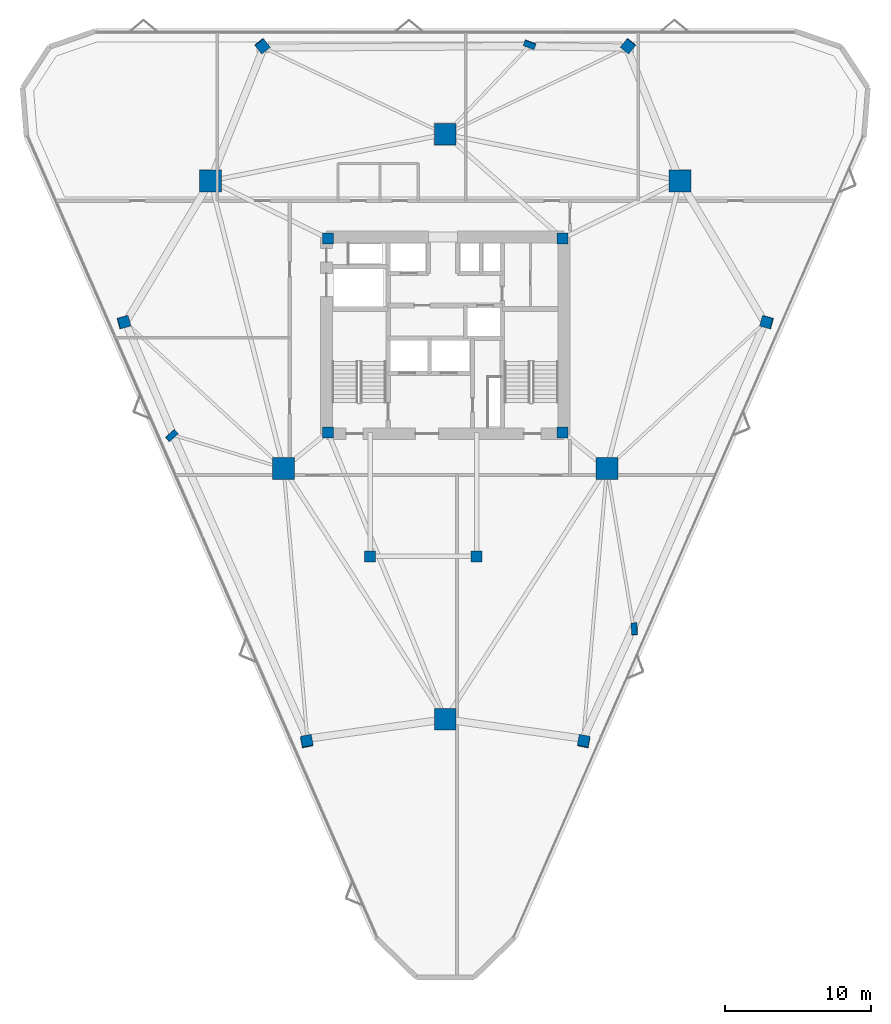
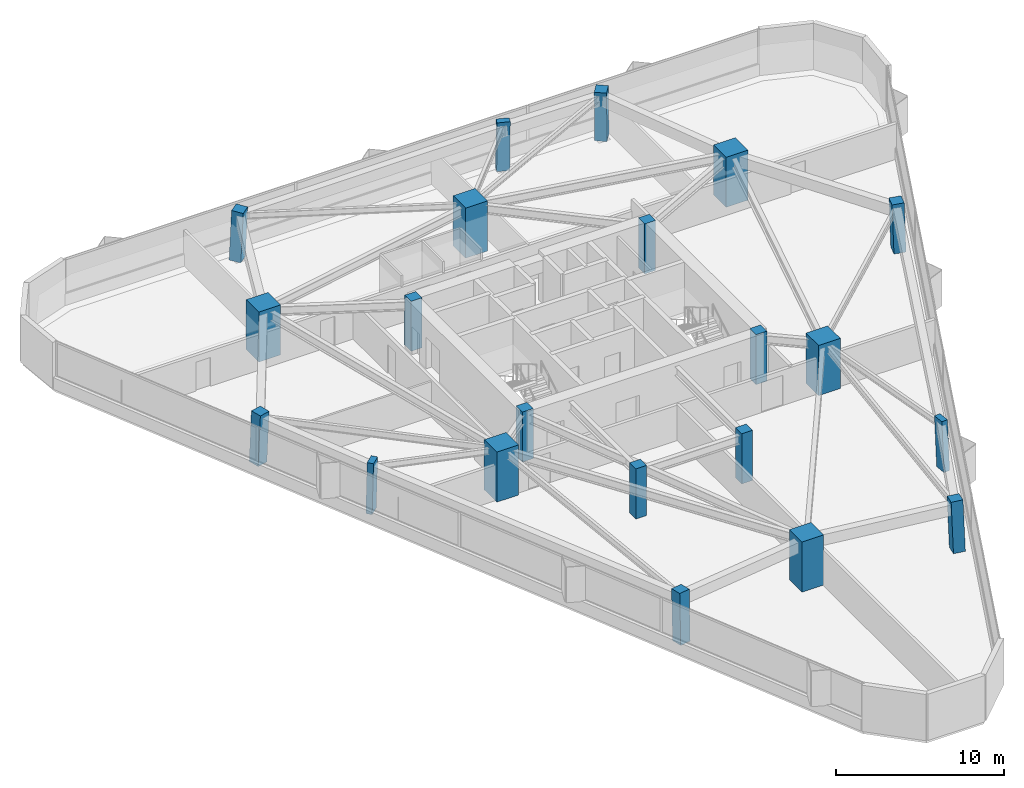
# One storey, part 1 of 16: 21 columns.
"""IFC4 building model written with IfcOpenShell, lengths in metres."""

from ifc_helpers import new_model, si_unit, direction, frame, origin, origin_2d, place, context, subcontext, project, spatial, rectangle, extrude, material, material_profile, profile_set, type_object, element, save


model = new_model("IFC4")

# Units and contexts
model_context = context("Model", 3, precision=1e-05, world=origin(), true_north=direction((0.0, 1.0)))
body_context = subcontext(model_context, "Body", "Model", "MODEL_VIEW")
ifc_project = project(units=[si_unit("LENGTHUNIT", "METRE"), si_unit("AREAUNIT", "SQUARE_METRE"), si_unit("VOLUMEUNIT", "CUBIC_METRE"), si_unit("PLANEANGLEUNIT", "RADIAN"), si_unit("MASSUNIT", "GRAM", prefix="KILO")], contexts=[model_context])

# Site, building, storey
site_placement = place(None, origin())
site = spatial("IfcSite", under=ifc_project, at=site_placement, CompositionType="ELEMENT")
building_placement = place(site_placement, origin())
building = spatial("IfcBuilding", under=site, at=building_placement, Name="Talyreon Biosciences Tower", CompositionType="ELEMENT")
storey_placement = place(building_placement, frame((0.0, 0.0, 134.5)))
storey = spatial("IfcBuildingStorey", under=building, at=storey_placement, Name="L35", CompositionType="ELEMENT", Elevation=134.5)

# Columns
ifc_material_1 = material(Name="Precast concrete C45/55", Category="concrete")
ifc_material_profile_1 = material_profile(ifc_material_1, rectangle(XDim=0.800048828125, YDim=0.39990234375, at=origin_2d()), Name="RC 800x400")
ifc_profile_set_1 = profile_set([ifc_material_profile_1], Name="Precast concrete C45/55")
column_type_1 = type_object("IfcColumnType", Name="FacadePilaster_800x400", PredefinedType="PILASTER", material=ifc_profile_set_1)
column_1_placement = place(storey_placement, frame((78.979248046875, 47.8408203125, 0.0029296875), z_axis=(-0.019612004119, 0.038286915892, 0.999074312234), x_axis=(0.061502069293, -0.997327922277, 0.03942728647)))
element("IfcColumn", 1, at=column_1_placement, inside=storey, type_object=column_type_1, Name="L35 Facade Pilaster PL-SE", PredefinedType="PILASTER", context=body_context, shape_type="SweptSolid", body=[
    extrude(rectangle(XDim=0.800048828125, YDim=0.39990234375, at=origin_2d()), origin(), (0.0, 0.0, 1.0), 3.6474609375),
])
column_2_placement = place(storey_placement, frame((71.795166015625, 87.95849609375, 0.0029296875), z_axis=(-0.012453496874, -0.033544096418, 0.99935964698), x_axis=(-0.937477612418, 0.348045580658, 0.0)))
element("IfcColumn", 2, at=column_2_placement, inside=storey, type_object=column_type_1, Name="L35 Facade Pilaster PL-N", PredefinedType="PILASTER", context=body_context, shape_type="SweptSolid", body=[
    extrude(rectangle(XDim=0.800048828125, YDim=0.39990234375, at=origin_2d()), origin(), (0.0, 0.0, 1.0), 3.646484375),
])
column_3_placement = place(storey_placement, frame((47.2255859375, 61.121337890625, 0.0029296875), z_axis=(0.032073367297, 0.010512565064, 0.999430230224), x_axis=(0.745881881166, 0.665359476137, -0.030935204263)))
element("IfcColumn", 3, at=column_3_placement, inside=storey, type_object=column_type_1, Name="L35 Facade Pilaster PL-SW", PredefinedType="PILASTER", context=body_context, shape_type="SweptSolid", body=[
    extrude(rectangle(XDim=0.800048828125, YDim=0.39990234375, at=origin_2d()), origin(), (0.0, 0.0, 1.0), 3.646240234375),
])
ifc_material_2 = material(Name="Concrete C60/75", Category="concrete")
ifc_material_profile_2 = material_profile(ifc_material_2, rectangle(XDim=1.5, YDim=1.5, at=origin_2d()), Name="RC 1500x1500")
ifc_profile_set_2 = profile_set([ifc_material_profile_2], Name="Concrete C60/75")
column_type_2 = type_object("IfcColumnType", Name="MegaColumn_1500", PredefinedType="COLUMN", material=ifc_profile_set_2)
for number, where, z_axis, x_axis, name in (
    (4, (66.0, 41.6669921875, 0.0), (0.0, 0.0, 1.0), (1.0, 0.0, 0.0), "L35 Composite Mega-Column MC1"),
    (5, (82.102294921875, 78.5986328125, 0.0), (0.0, 0.0, 1.0), (1.0, 0.0, 0.0), "L35 Composite Mega-Column MC2"),
    (6, (49.897705078125, 78.5986328125, 0.0), (0.0, 0.0, 1.0), (1.0, 0.0, 0.0), "L35 Composite Mega-Column MC3"),
    (7, (77.086181640625, 58.88037109375, 0.0), (0.0, 0.0, 1.0), (1.0, 0.0, 0.0), "L35 Composite Mega-Column MC4"),
    (8, (66.0, 81.788818359375, 0.0), (0.0, 0.0, 1.0), (1.0, 0.0, 0.0), "L35 Composite Mega-Column MC5"),
    (9, (54.913818359375, 58.88037109375, 0.0), (0.0, 0.0, 1.0), (1.0, 0.0, 0.0), "L35 Composite Mega-Column MC6"),
):
    element("IfcColumn", number, at=place(storey_placement, frame(where, z_axis=z_axis, x_axis=x_axis)), inside=storey, type_object=column_type_2, Name=name, PredefinedType="COLUMN", context=body_context, shape_type="SweptSolid", body=[
        extrude(rectangle(XDim=1.5, YDim=1.5, at=origin_2d()), origin(), (0.0, 0.0, 1.0), 3.64990234375),
    ])
ifc_material_3 = material(Name="Concrete C50/60", Category="concrete")
ifc_material_profile_3 = material_profile(ifc_material_3, rectangle(XDim=0.75, YDim=0.75, at=origin_2d()), Name="RC 750x750")
ifc_profile_set_3 = profile_set([ifc_material_profile_3], Name="Concrete C50/60")
column_type_3 = type_object("IfcColumnType", Name="PerimeterColumn_750", PredefinedType="COLUMN", material=ifc_profile_set_3)
for number, where, z_axis, x_axis, name in (
    (10, (57.949951171875, 61.35009765625, 0.0), (0.0, 0.0, 1.0), (1.0, 0.0, 0.0), "L35 Core Column CC1"),
    (11, (74.050048828125, 61.35009765625, 0.0), (0.0, 0.0, 1.0), (1.0, 0.0, 0.0), "L35 Core Column CC2"),
    (12, (74.050048828125, 74.64990234375, 0.0), (0.0, 0.0, 1.0), (1.0, 0.0, 0.0), "L35 Core Column CC3"),
    (13, (57.949951171875, 74.64990234375, 0.0), (0.0, 0.0, 1.0), (1.0, 0.0, 0.0), "L35 Core Column CC4"),
    (14, (60.85009765625, 52.840087890625, 0.0), (0.0, 0.0, 1.0), (1.0, 0.0, 0.0), "L35 Core Column CSW"),
    (15, (68.14990234375, 52.840087890625, 0.0), (0.0, 0.0, 1.0), (1.0, 0.0, 0.0), "L35 Core Column CSE"),
):
    element("IfcColumn", number, at=place(storey_placement, frame(where, z_axis=z_axis, x_axis=x_axis)), inside=storey, type_object=column_type_3, Name=name, PredefinedType="COLUMN", context=body_context, shape_type="SweptSolid", body=[
        extrude(rectangle(XDim=0.75, YDim=0.75, at=origin_2d()), origin(), (0.0, 0.0, 1.0), 3.64990234375),
    ])
column_4_placement = place(storey_placement, frame((75.507080078125, 40.1337890625, 0.0029296875), z_axis=(-0.012375141264, 0.054450621561, 0.998439775695), x_axis=(-0.187196467469, -0.98098839123, 0.051178695161)))
element("IfcColumn", 16, at=column_4_placement, inside=storey, type_object=column_type_3, Name="L35 Tapering Perimeter Column PC-SE1", PredefinedType="COLUMN", context=body_context, shape_type="SweptSolid", body=[
    extrude(rectangle(XDim=0.75, YDim=0.75, at=origin_2d()), origin(), (0.0, 0.0, 1.0), 3.649658203125),
])
column_5_placement = place(storey_placement, frame((88.06298828125, 68.908203125, 0.0029296875), z_axis=(-0.039229493406, -0.00569028488, 0.999214024874), x_axis=(0.96374431187, -0.264342425903, 0.036331573131)))
element("IfcColumn", 17, at=column_5_placement, inside=storey, type_object=column_type_3, Name="L35 Tapering Perimeter Column PC-SE2", PredefinedType="COLUMN", context=body_context, shape_type="SweptSolid", body=[
    extrude(rectangle(XDim=0.75, YDim=0.75, at=origin_2d()), origin(), (0.0, 0.0, 1.0), 3.64697265625),
])
for number, where, z_axis, x_axis, name in (
    (18, (78.555908203125, 87.8583984375, 0.0029296875), (-0.026841076243, -0.033534611465, 0.999077067328), (-0.780716755404, 0.624885067698, 0.0), "L35 Tapering Perimeter Column PC-N1"),
    (19, (53.444091796875, 87.8583984375, 0.0029296875), (0.026841076243, -0.033534611465, 0.999077067328), (-0.780716755404, -0.624885067698, 0.0), "L35 Tapering Perimeter Column PC-N2"),
):
    element("IfcColumn", number, at=place(storey_placement, frame(where, z_axis=z_axis, x_axis=x_axis)), inside=storey, type_object=column_type_3, Name=name, PredefinedType="COLUMN", context=body_context, shape_type="SweptSolid", body=[
        extrude(rectangle(XDim=0.75, YDim=0.75, at=origin_2d()), origin(), (0.0, 0.0, 1.0), 3.6474609375),
    ])
column_6_placement = place(storey_placement, frame((43.93701171875, 68.908203125, 0.0029296875), z_axis=(0.039229493406, -0.00569028488, 0.999214024874), x_axis=(0.96374431187, 0.264342425903, -0.036331573131)))
element("IfcColumn", 20, at=column_6_placement, inside=storey, type_object=column_type_3, Name="L35 Tapering Perimeter Column PC-SW1", PredefinedType="COLUMN", context=body_context, shape_type="SweptSolid", body=[
    extrude(rectangle(XDim=0.75, YDim=0.75, at=origin_2d()), origin(), (0.0, 0.0, 1.0), 3.64697265625),
])
column_7_placement = place(storey_placement, frame((56.492919921875, 40.1337890625, 0.0029296875), z_axis=(0.012375141264, 0.054450621561, 0.998439775695), x_axis=(-0.187196467469, 0.98098839123, -0.051178695161)))
element("IfcColumn", 21, at=column_7_placement, inside=storey, type_object=column_type_3, Name="L35 Tapering Perimeter Column PC-SW2", PredefinedType="COLUMN", context=body_context, shape_type="SweptSolid", body=[
    extrude(rectangle(XDim=0.75, YDim=0.75, at=origin_2d()), origin(), (0.0, 0.0, 1.0), 3.649658203125),
])

save(model, "model.ifc")
